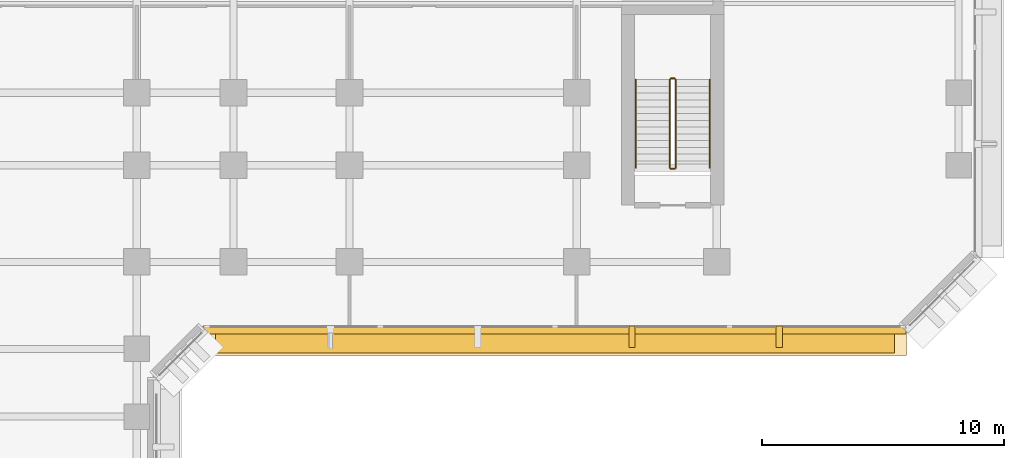
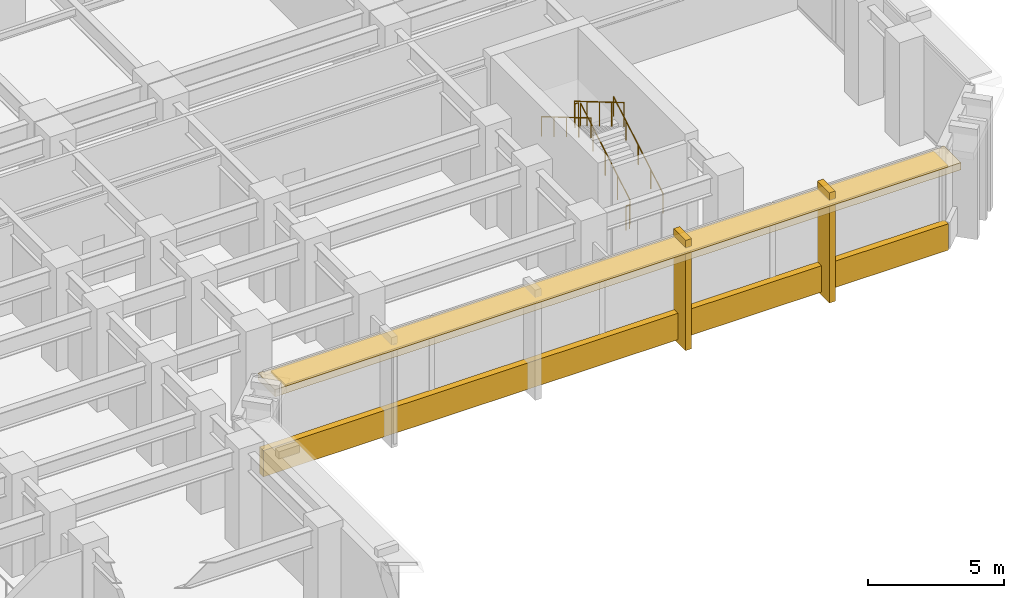
# One storey, part 12 of 16: 6 railings, 4 coverings, 1 shading device.
"""IFC4 building model written with IfcOpenShell, lengths in metres."""

from ifc_helpers import new_model, si_unit, direction, frame, origin, origin_2d, place, context, subcontext, project, spatial, rectangle, circle, extrude, material, layer, layer_set, type_object, element, save


model = new_model("IFC4")

# Units and contexts
model_context = context("Model", 3, precision=1e-05, world=origin(), true_north=direction((0.0, 1.0)))
body_context = subcontext(model_context, "Body", "Model", "MODEL_VIEW")
ifc_project = project(units=[si_unit("LENGTHUNIT", "METRE"), si_unit("AREAUNIT", "SQUARE_METRE"), si_unit("VOLUMEUNIT", "CUBIC_METRE"), si_unit("PLANEANGLEUNIT", "RADIAN"), si_unit("MASSUNIT", "GRAM", prefix="KILO")], contexts=[model_context])

# Site, building, storey
site_placement = place(None, origin())
site = spatial("IfcSite", under=ifc_project, at=site_placement, CompositionType="ELEMENT")
building_placement = place(site_placement, origin())
building = spatial("IfcBuilding", under=site, at=building_placement, Name="Kefirva Bronze Tower", CompositionType="ELEMENT")
storey_placement = place(building_placement, frame((0.0, 0.0, 16.5)))
storey = spatial("IfcBuildingStorey", under=building, at=storey_placement, Name="L03", CompositionType="ELEMENT", Elevation=16.5)

# Covering
ifc_material_1 = material(Name="Bronze anodised aluminium", Category="aluminium")
ifc_layer_1 = layer(ifc_material_1, 0.02001953125, Name="Bronze anodised aluminium")
ifc_layer_set_1 = layer_set([ifc_layer_1], Name="Bronze anodised aluminium")
covering_type_1 = type_object("IfcCoveringType", Name="Anodised Bronze Spandrel Cladding 20mm", PredefinedType="CLADDING", material=ifc_layer_set_1)
covering_1_placement = place(storey_placement, frame((48.5, 15.9599609375, -0.16015625), z_axis=(0.0, 0.0, 1.0), x_axis=(1.0, 0.0, 0.0)))
element("IfcCovering", 1, at=covering_1_placement, inside=storey, type_object=covering_type_1, Name="L03 Streamline Horizontal Spandrel Band 4", PredefinedType="CLADDING", context=body_context, shape_type="SweptSolid", body=[
    extrude(rectangle(XDim=29.0400390625, YDim=0.280029296875, at=origin_2d()), origin(), (0.0, 0.0, 1.0), 1.179931640625),
])

# Railings
ifc_material_2 = material(Name="Stainless steel 316", Category="steel")
railing_type_1 = type_object("IfcRailingType", Name="Interior Stair Guardrail 1100mm", PredefinedType="GUARDRAIL", material=ifc_material_2)
railing_1_placement = place(storey_placement, frame((53.5, 22.699951171875, 0.1650390625)))
element("IfcRailing", 2, at=railing_1_placement, inside=storey, type_object=railing_type_1, Name="L03 ST-4 stair guard 1", PredefinedType="GUARDRAIL", context=body_context, shape_type="SweptSolid", body=[
    extrude(circle(Radius=0.02392578125, at=origin_2d()), frame((0.0, 0.0, 1.076171875), z_axis=(0.0, 0.861544779993, 0.507681585313), x_axis=(-1.0, 0.0, 0.0)), (0.0, 0.0, 1.0), 4.22509765625),
    extrude(circle(Radius=0.02099609375, at=origin_2d()), origin(), (0.0, 0.0, 1.0), 1.052001953125),
    extrude(circle(Radius=0.02099609375, at=origin_2d()), frame((0.0, 0.91015625, 0.5361328125)), (0.0, 0.0, 1.0), 1.052001953125),
    extrude(circle(Radius=0.02099609375, at=origin_2d()), frame((0.0, 1.820068359375, 1.072509765625)), (0.0, 0.0, 1.0), 1.052001953125),
    extrude(circle(Radius=0.02099609375, at=origin_2d()), frame((0.0, 2.72998046875, 1.60888671875)), (0.0, 0.0, 1.0), 1.052001953125),
    extrude(circle(Radius=0.02099609375, at=origin_2d()), frame((0.0, 3.64013671875, 2.14501953125)), (0.0, 0.0, 1.0), 1.052001953125),
])
railing_2_placement = place(storey_placement, frame((53.449951171875, 26.389892578125, 2.31005859375)))
element("IfcRailing", 3, at=railing_2_placement, inside=storey, type_object=railing_type_1, Name="L03 ST-4 stair guard 2", PredefinedType="GUARDRAIL", context=body_context, shape_type="SweptSolid", body=[
    extrude(circle(Radius=0.02392578125, at=origin_2d()), frame((0.0, 0.0, 1.076171875), z_axis=(-1.0, 0.0, 0.0), x_axis=(0.0, -1.0, 0.0)), (0.0, 0.0, 1.0), 0.14990234375),
    extrude(circle(Radius=0.02099609375, at=origin_2d()), origin(), (0.0, 0.0, 1.0), 1.052001953125),
    extrude(circle(Radius=0.02099609375, at=origin_2d()), frame((-0.14990234375, 0.0, 0.0)), (0.0, 0.0, 1.0), 1.052001953125),
])
railing_3_placement = place(storey_placement, frame((53.25, 26.340087890625, 2.47509765625)))
element("IfcRailing", 4, at=railing_3_placement, inside=storey, type_object=railing_type_1, Name="L03 ST-4 stair guard 3", PredefinedType="GUARDRAIL", context=body_context, shape_type="SweptSolid", body=[
    extrude(circle(Radius=0.02392578125, at=origin_2d()), frame((0.0, 0.0, 1.076171875), z_axis=(0.0, -0.861544779993, 0.507681585313), x_axis=(1.0, 0.0, 0.0)), (0.0, 0.0, 1.0), 4.22509765625),
    extrude(circle(Radius=0.02099609375, at=origin_2d()), origin(), (0.0, 0.0, 1.0), 1.052001953125),
    extrude(circle(Radius=0.02099609375, at=origin_2d()), frame((0.0, -0.91015625, 0.5361328125)), (0.0, 0.0, 1.0), 1.052001953125),
    extrude(circle(Radius=0.02099609375, at=origin_2d()), frame((0.0, -1.820068359375, 1.072509765625)), (0.0, 0.0, 1.0), 1.052001953125),
    extrude(circle(Radius=0.02099609375, at=origin_2d()), frame((0.0, -2.72998046875, 1.60888671875)), (0.0, 0.0, 1.0), 1.052001953125),
    extrude(circle(Radius=0.02099609375, at=origin_2d()), frame((0.0, -3.64013671875, 2.14501953125)), (0.0, 0.0, 1.0), 1.052001953125),
])
railing_4_placement = place(storey_placement, frame((53.449951171875, 22.64990234375, 0.0)))
element("IfcRailing", 5, at=railing_4_placement, inside=storey, type_object=railing_type_1, Name="L03 ST-4 stair guard 4", PredefinedType="GUARDRAIL", context=body_context, shape_type="SweptSolid", body=[
    extrude(circle(Radius=0.02392578125, at=origin_2d()), frame((0.0, 0.0, 1.076171875), z_axis=(-1.0, 0.0, 0.0), x_axis=(0.0, -1.0, 0.0)), (0.0, 0.0, 1.0), 0.14990234375),
    extrude(circle(Radius=0.02099609375, at=origin_2d()), origin(), (0.0, 0.0, 1.0), 1.052001953125),
    extrude(circle(Radius=0.02099609375, at=origin_2d()), frame((-0.14990234375, 0.0, 0.0)), (0.0, 0.0, 1.0), 1.052001953125),
])

# Shading device
ifc_layer_2 = layer(ifc_material_1, 0.1201171875, Name="Bronze anodised aluminium")
ifc_layer_set_2 = layer_set([ifc_layer_2], Name="Bronze anodised aluminium")
shading_device_type = type_object("IfcShadingDeviceType", Name="Podium Deep Bronze Canopy Sunshade 1050mm", PredefinedType="JALOUSIE", material=ifc_layer_set_2)
shading_device_placement = place(storey_placement, frame((48.5, 15.554931640625, 4.19482421875), z_axis=(0.0, 0.0, 1.0), x_axis=(1.0, 0.0, 0.0)))
element("IfcShadingDevice", 6, at=shading_device_placement, inside=storey, type_object=shading_device_type, Name="L03 Horizontal Bronze Sunshade Band 4", PredefinedType="JALOUSIE", context=body_context, shape_type="SweptSolid", body=[
    extrude(rectangle(XDim=28.090087890625, YDim=1.050048828125, at=origin_2d()), origin(), (0.0, 0.0, 1.0), 0.090087890625),
])

# Railings
railing_type_2 = type_object("IfcRailingType", Name="Stair Pitch Handrail 900mm", PredefinedType="HANDRAIL", material=ifc_material_2)
railing_5_placement = place(storey_placement, frame((54.89990234375, 22.699951171875, 0.1650390625)))
element("IfcRailing", 7, at=railing_5_placement, inside=storey, type_object=railing_type_2, Name="L03 ST-4 stair handrail 1", PredefinedType="HANDRAIL", context=body_context, shape_type="SweptSolid", body=[
    extrude(circle(Radius=0.02392578125, at=origin_2d()), frame((0.0, 0.0, 0.8759765625), z_axis=(0.0, 0.861544779993, 0.507681585313), x_axis=(-1.0, 0.0, 0.0)), (0.0, 0.0, 1.0), 4.22509765625),
    extrude(circle(Radius=0.02099609375, at=origin_2d()), origin(), (0.0, 0.0, 1.0), 0.851806640625),
    extrude(circle(Radius=0.02099609375, at=origin_2d()), frame((0.0, 0.91015625, 0.5361328125)), (0.0, 0.0, 1.0), 0.851806640625),
    extrude(circle(Radius=0.02099609375, at=origin_2d()), frame((0.0, 1.820068359375, 1.072509765625)), (0.0, 0.0, 1.0), 0.851806640625),
    extrude(circle(Radius=0.02099609375, at=origin_2d()), frame((0.0, 2.72998046875, 1.60888671875)), (0.0, 0.0, 1.0), 0.851806640625),
    extrude(circle(Radius=0.02099609375, at=origin_2d()), frame((0.0, 3.64013671875, 2.14501953125)), (0.0, 0.0, 1.0), 0.851806640625),
])
railing_6_placement = place(storey_placement, frame((51.85009765625, 26.340087890625, 2.47509765625)))
element("IfcRailing", 8, at=railing_6_placement, inside=storey, type_object=railing_type_2, Name="L03 ST-4 stair handrail 2", PredefinedType="HANDRAIL", context=body_context, shape_type="SweptSolid", body=[
    extrude(circle(Radius=0.02392578125, at=origin_2d()), frame((0.0, 0.0, 0.8759765625), z_axis=(0.0, -0.861544779993, 0.507681585313), x_axis=(1.0, 0.0, 0.0)), (0.0, 0.0, 1.0), 4.22509765625),
    extrude(circle(Radius=0.02099609375, at=origin_2d()), origin(), (0.0, 0.0, 1.0), 0.851806640625),
    extrude(circle(Radius=0.02099609375, at=origin_2d()), frame((0.0, -0.91015625, 0.5361328125)), (0.0, 0.0, 1.0), 0.851806640625),
    extrude(circle(Radius=0.02099609375, at=origin_2d()), frame((0.0, -1.820068359375, 1.072509765625)), (0.0, 0.0, 1.0), 0.851806640625),
    extrude(circle(Radius=0.02099609375, at=origin_2d()), frame((0.0, -2.72998046875, 1.60888671875)), (0.0, 0.0, 1.0), 0.851806640625),
    extrude(circle(Radius=0.02099609375, at=origin_2d()), frame((0.0, -3.64013671875, 2.14501953125)), (0.0, 0.0, 1.0), 0.851806640625),
])

# Coverings
ifc_layer_3 = layer(ifc_material_1, 0.179931640625, Name="Bronze anodised aluminium")
ifc_layer_set_3 = layer_set([ifc_layer_3], Name="Bronze anodised aluminium")
covering_type_2 = type_object("IfcCoveringType", Name="Streamline Bronze Sunshade Eyebrow Cladding 180mm", PredefinedType="CLADDING", material=ifc_layer_set_3)
covering_2_placement = place(storey_placement, frame((48.5, 15.5400390625, 3.97998046875), z_axis=(0.0, 0.0, 1.0), x_axis=(1.0, 0.0, 0.0)))
element("IfcCovering", 9, at=covering_2_placement, inside=storey, type_object=covering_type_2, Name="L03 Streamline Bronze Sunshade Eyebrow 4", PredefinedType="CLADDING", context=body_context, shape_type="SweptSolid", body=[
    extrude(rectangle(XDim=29.080078125, YDim=1.239990234375, at=origin_2d()), origin(), (0.0, 0.0, 1.0), 0.320068359375),
])
ifc_layer_4 = layer(ifc_material_1, 0.260009765625, Name="Bronze anodised aluminium")
ifc_layer_set_4 = layer_set([ifc_layer_4], Name="Bronze anodised aluminium")
covering_type_3 = type_object("IfcCoveringType", Name="Unbroken Bronze Buttress Fin Cladding 260mm", PredefinedType="CLADDING", material=ifc_layer_set_4)
for number, where, z_axis, x_axis, name in (
    (10, (51.68994140625, 15.699951171875, -0.320068359375), (0.0, 0.0, 1.0), (1.0, 0.0, 0.0), "L03 Unbroken Vertical Bronze Rib Fin 13"),
    (11, (57.780029296875, 15.699951171875, -0.320068359375), (0.0, 0.0, 1.0), (1.0, 0.0, 0.0), "L03 Unbroken Vertical Bronze Rib Fin 14"),
):
    element("IfcCovering", number, at=place(storey_placement, frame(where, z_axis=z_axis, x_axis=x_axis)), inside=storey, type_object=covering_type_3, Name=name, PredefinedType="CLADDING", context=body_context, shape_type="SweptSolid", body=[
        extrude(rectangle(XDim=0.260009765625, YDim=0.8798828125, at=origin_2d()), origin(), (0.0, 0.0, 1.0), 4.93994140625),
    ])

save(model, "model.ifc")
